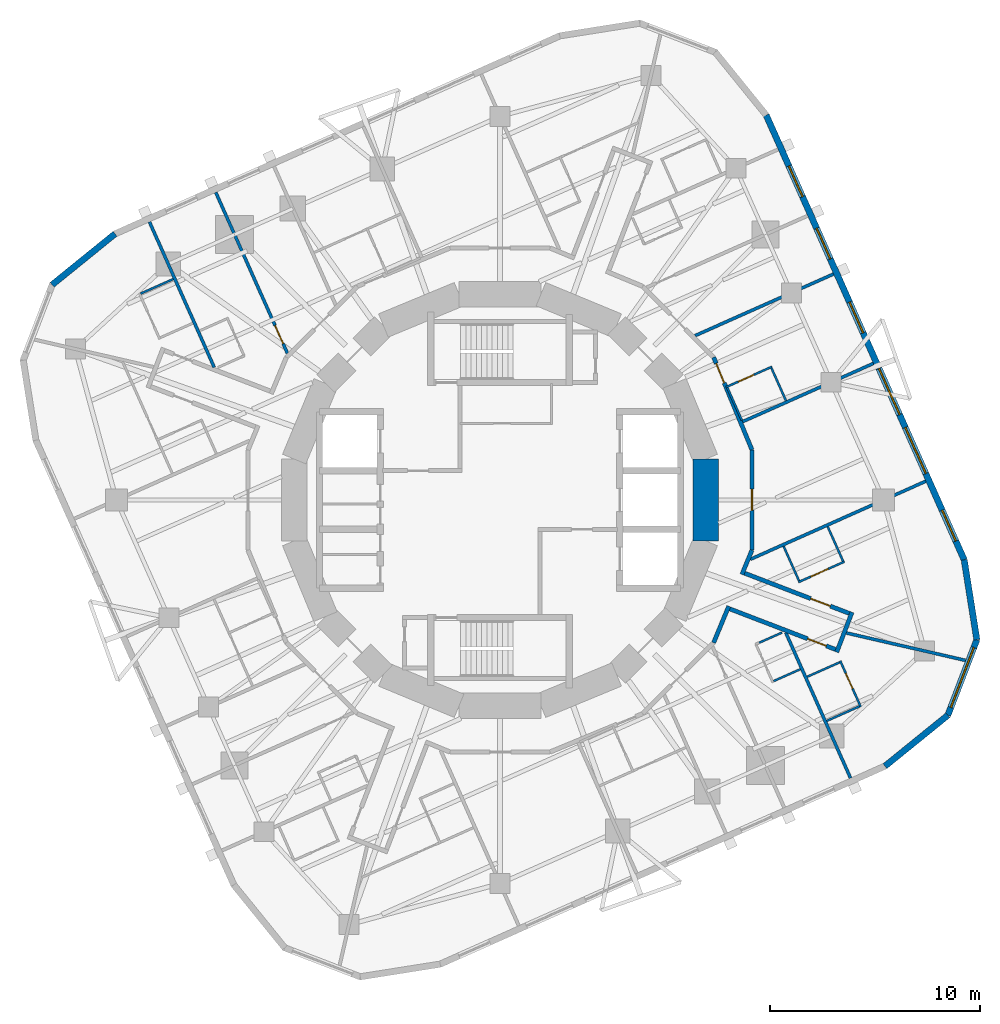
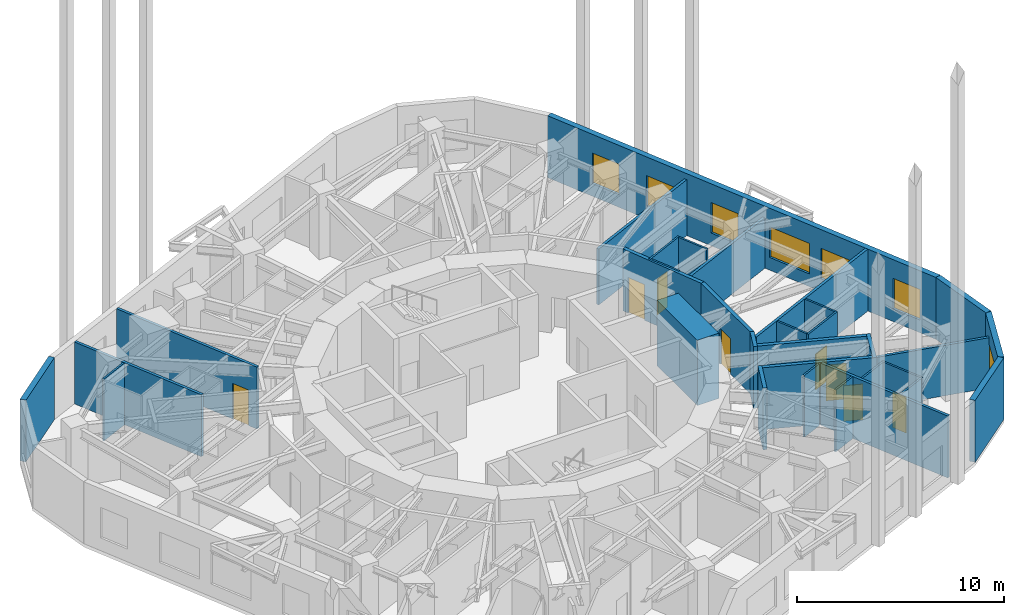
# One storey, part 8 of 11: 32 walls, 8 doors, 7 windows, 15 openings.
"""IFC4 building model written with IfcOpenShell, lengths in metres."""

from ifc_helpers import new_model, si_unit, direction, frame, frame_2d, origin, place, context, subcontext, project, spatial, rectangle, extrude, material, layer, layer_set, type_object, element, fill, save


model = new_model("IFC4")

# Units and contexts
model_context = context("Model", 3, precision=1e-05, world=origin(), true_north=direction((0.0, 1.0)))
body_context = subcontext(model_context, "Body", "Model", "MODEL_VIEW")
ifc_project = project(units=[si_unit("LENGTHUNIT", "METRE"), si_unit("AREAUNIT", "SQUARE_METRE"), si_unit("VOLUMEUNIT", "CUBIC_METRE"), si_unit("PLANEANGLEUNIT", "RADIAN"), si_unit("MASSUNIT", "GRAM", prefix="KILO")], contexts=[model_context])

# Site, building, storey
site_placement = place(None, origin())
site = spatial("IfcSite", under=ifc_project, at=site_placement, CompositionType="ELEMENT")
building_placement = place(site_placement, origin())
building = spatial("IfcBuilding", under=site, at=building_placement, Name="Nakasero Lantern House", CompositionType="ELEMENT")
storey_placement = place(building_placement, frame((0.0, 0.0, 182.449951171875)))
storey = spatial("IfcBuildingStorey", under=building, at=storey_placement, Name="L44", CompositionType="ELEMENT", Elevation=182.449951171875)

# Wall
ifc_material_1 = material(Name="Concrete C50/60", Category="concrete")
ifc_layer_1 = layer(ifc_material_1, 1.199951171875)
ifc_layer_set_1 = layer_set([ifc_layer_1], Name="Core wall 1200")
wall_type_1 = type_object("IfcWallType", Name="Core wall 1200", PredefinedType="SHEAR", material=ifc_layer_set_1)
wall_1_placement = place(storey_placement, frame((9.807861328125, -1.950927734375, 0.0), z_axis=(0.0, 0.0, 1.0), x_axis=(0.0, 1.0, 0.0)))
element("IfcWall", 1, at=wall_1_placement, inside=storey, type_object=wall_type_1, Name="Core wall L44 facet 16", PredefinedType="SHEAR", context=body_context, shape_type="SweptSolid", body=[
    extrude(rectangle(XDim=3.90185546875, YDim=1.199951171875, at=frame_2d((1.950927734375, 0.0))), origin(), (0.0, 0.0, 1.0), 3.85009765625),
])

# Wall, opening, door
ifc_material_2 = material(Name="Blockwork", Category="masonry")
ifc_layer_2 = layer(ifc_material_2, 0.199951171875)
ifc_layer_set_2 = layer_set([ifc_layer_2], Name="Corridor wall 200")
wall_type_2 = type_object("IfcWallType", Name="Corridor wall 200", PredefinedType="PARTITIONING", material=ifc_layer_set_2)
wall_2_placement = place(storey_placement, frame((12.0078125, 2.388427734375, 0.0), z_axis=(0.0, 0.0, 1.0), x_axis=(0.0, -1.0, 0.0)))
wall_2 = element("IfcWall", 2, at=wall_2_placement, inside=storey, type_object=wall_type_2, Name="Corridor wall L44 RC00a", PredefinedType="PARTITIONING", context=body_context, shape_type="SweptSolid", body=[
    extrude(rectangle(XDim=4.77685546875, YDim=0.199951171875, at=frame_2d((2.388427734375, 0.0))), origin(), (0.0, 0.0, 1.0), 3.650146484375),
])
opening_1_placement = place(wall_2_placement, frame((1.8701171875, 0.0, 0.0)))
opening_1 = element("IfcOpeningElement", 3, at=opening_1_placement, cuts=wall_2, Name="Opening D03", PredefinedType="OPENING", context=body_context, shape_type="SweptSolid", body=[
    extrude(rectangle(XDim=1.0, YDim=2.10009765625, at=frame_2d((0.5, 1.050048828125))), frame((0.0, 0.119873046875, 0.0), z_axis=(0.0, -1.0, 0.0), x_axis=(1.0, 0.0, 0.0)), (0.0, 0.0, 1.0), 0.239990234375),
])
ifc_material_3 = material(Name="Timber C24", Category="wood")
door_type_1 = type_object("IfcDoorType", Name="Lounge door FD30S 1000", OperationType="SINGLE_SWING_LEFT", PredefinedType="DOOR", material=ifc_material_3)
door_1_placement = place(opening_1_placement, origin())
door_1 = element("IfcDoor", 4, at=door_1_placement, inside=storey, type_object=door_type_1, Name="Door L44 DK0", OperationType="SINGLE_SWING_LEFT", OverallHeight=2.10009765625, OverallWidth=1.0, PredefinedType="DOOR", context=body_context, shape_type="SweptSolid", body=[
    extrude(rectangle(XDim=1.0, YDim=2.10009765625, at=frame_2d((0.5, 1.050048828125))), frame((0.0, 0.02490234375, 0.0), z_axis=(0.0, -1.0, 0.0), x_axis=(1.0, 0.0, 0.0)), (0.0, 0.0, 1.0), 0.050048828125),
])
fill(opening_1, door_1)

# Walls
wall_3_placement = place(storey_placement, frame((12.0078125, -2.388427734375, 0.0), z_axis=(0.0, 0.0, 1.0), x_axis=(-0.382609746966, -0.923910050561, 0.0)))
element("IfcWall", 5, at=wall_3_placement, inside=storey, type_object=wall_type_2, Name="Corridor wall L44 RC01a", PredefinedType="PARTITIONING", context=body_context, shape_type="SweptSolid", body=[
    extrude(rectangle(XDim=1.25390625, YDim=0.199951171875, at=frame_2d((0.626953125, 0.0))), origin(), (0.0, 0.0, 1.0), 3.650146484375),
])
wall_4_placement = place(storey_placement, frame((10.900146484375, -5.0625, 0.0), z_axis=(0.0, 0.0, 1.0), x_axis=(-0.38265336809, -0.923891984969, 0.0)))
element("IfcWall", 6, at=wall_4_placement, inside=storey, type_object=wall_type_2, Name="Corridor wall L44 RC01b", PredefinedType="PARTITIONING", context=body_context, shape_type="SweptSolid", body=[
    extrude(rectangle(XDim=1.8828125, YDim=0.199951171875, at=frame_2d((0.94140625, 0.0))), origin(), (0.0, 0.0, 1.0), 3.650146484375),
])

# Wall, opening, door
wall_5_placement = place(storey_placement, frame((10.1796875, 6.802001953125, 0.0), z_axis=(0.0, 0.0, 1.0), x_axis=(0.382676767893, -0.923882292998, 0.0)))
wall_5 = element("IfcWall", 7, at=wall_5_placement, inside=storey, type_object=wall_type_2, Name="Corridor wall L44 RC15a", PredefinedType="PARTITIONING", context=body_context, shape_type="SweptSolid", body=[
    extrude(rectangle(XDim=4.777099609375, YDim=0.199951171875, at=frame_2d((2.388671875, 0.0))), origin(), (0.0, 0.0, 1.0), 3.650146484375),
])
opening_2_placement = place(wall_5_placement, frame((0.320068359375, 0.0, 0.0)))
opening_2 = element("IfcOpeningElement", 8, at=opening_2_placement, cuts=wall_5, Name="Opening D07", PredefinedType="OPENING", context=body_context, shape_type="SweptSolid", body=[
    extrude(rectangle(XDim=1.0, YDim=2.10009765625, at=frame_2d((0.5, 1.050048828125))), frame((0.0, 0.119873046875, 0.0), z_axis=(0.0, -1.0, 0.0), x_axis=(1.0, 0.0, 0.0)), (0.0, 0.0, 1.0), 0.239990234375),
])
ifc_material_4 = material(Name="Timber C24", Category="wood")
door_type_2 = type_object("IfcDoorType", Name="Room door FD30S 1000", OperationType="SINGLE_SWING_LEFT", PredefinedType="DOOR", material=ifc_material_4)
door_2_placement = place(opening_2_placement, origin())
door_2 = element("IfcDoor", 9, at=door_2_placement, inside=storey, type_object=door_type_2, Name="Door L44 D0-03", OperationType="SINGLE_SWING_LEFT", OverallHeight=2.10009765625, OverallWidth=1.0, PredefinedType="DOOR", context=body_context, shape_type="SweptSolid", body=[
    extrude(rectangle(XDim=1.0, YDim=2.10009765625, at=frame_2d((0.5, 1.050048828125))), frame((0.0, 0.02490234375, 0.0), z_axis=(0.0, -1.0, 0.0), x_axis=(1.0, 0.0, 0.0)), (0.0, 0.0, 1.0), 0.050048828125),
])
fill(opening_2, door_2)

wall_6_placement = place(storey_placement, frame((10.862060546875, -5.155029296875, 0.0), z_axis=(0.0, 0.0, 1.0), x_axis=(0.933576547613, -0.35837805422, 0.0)))
wall_6 = element("IfcWall", 10, at=wall_6_placement, inside=storey, type_object=wall_type_2, Name="Corridor wall L44 SP3a", PredefinedType="PARTITIONING", context=body_context, shape_type="SweptSolid", body=[
    extrude(rectangle(XDim=5.689697265625, YDim=0.199951171875, at=frame_2d((2.8447265625, 0.0))), origin(), (0.0, 0.0, 1.0), 3.650146484375),
])
opening_3_placement = place(wall_6_placement, frame((4.070068359375, 0.0, 0.0)))
opening_3 = element("IfcOpeningElement", 11, at=opening_3_placement, cuts=wall_6, Name="Opening D01", PredefinedType="OPENING", context=body_context, shape_type="SweptSolid", body=[
    extrude(rectangle(XDim=0.949951171875, YDim=2.10009765625, at=frame_2d((0.47509765625, 1.050048828125))), frame((0.0, 0.119873046875, 0.0), z_axis=(0.0, -1.0, 0.0), x_axis=(1.0, 0.0, 0.0)), (0.0, 0.0, 1.0), 0.239990234375),
])
ifc_material_5 = material(Name="Timber C24", Category="wood")
door_type_3 = type_object("IfcDoorType", Name="Bedroom door FD30S 950", OperationType="SINGLE_SWING_LEFT", PredefinedType="DOOR", material=ifc_material_5)
door_3_placement = place(opening_3_placement, origin())
door_3 = element("IfcDoor", 12, at=door_3_placement, inside=storey, type_object=door_type_3, Name="Door L44 D3-06", OperationType="SINGLE_SWING_RIGHT", OverallHeight=2.10009765625, OverallWidth=0.949951171875, PredefinedType="DOOR", context=body_context, shape_type="SweptSolid", body=[
    extrude(rectangle(XDim=0.949951171875, YDim=2.10009765625, at=frame_2d((0.47509765625, 1.050048828125))), frame((0.0, 0.02490234375, 0.0), z_axis=(0.0, -1.0, 0.0), x_axis=(1.0, 0.0, 0.0)), (0.0, 0.0, 1.0), 0.050048828125),
])
fill(opening_3, door_3)

wall_7_placement = place(storey_placement, frame((11.56640625, -3.454345703125, 0.0), z_axis=(0.0, 0.0, 1.0), x_axis=(0.933567378484, -0.358401938933, 0.0)))
wall_7 = element("IfcWall", 13, at=wall_7_placement, inside=storey, type_object=wall_type_2, Name="Corridor wall L44 SP3b", PredefinedType="PARTITIONING", context=body_context, shape_type="SweptSolid", body=[
    extrude(rectangle(XDim=5.6416015625, YDim=0.199951171875, at=frame_2d((2.82080078125, 0.0))), origin(), (0.0, 0.0, 1.0), 3.650146484375),
])
opening_4_placement = place(wall_7_placement, frame((3.469970703125, 0.0, 0.0)))
opening_4 = element("IfcOpeningElement", 14, at=opening_4_placement, cuts=wall_7, Name="Opening D07", PredefinedType="OPENING", context=body_context, shape_type="SweptSolid", body=[
    extrude(rectangle(XDim=1.0, YDim=2.10009765625, at=frame_2d((0.5, 1.050048828125))), frame((0.0, 0.119873046875, 0.0), z_axis=(0.0, -1.0, 0.0), x_axis=(1.0, 0.0, 0.0)), (0.0, 0.0, 1.0), 0.239990234375),
])
door_4_placement = place(opening_4_placement, origin())
door_4 = element("IfcDoor", 15, at=door_4_placement, inside=storey, type_object=door_type_2, Name="Door L44 D0-00", OperationType="SINGLE_SWING_RIGHT", OverallHeight=2.10009765625, OverallWidth=1.0, PredefinedType="DOOR", context=body_context, shape_type="SweptSolid", body=[
    extrude(rectangle(XDim=1.0, YDim=2.10009765625, at=frame_2d((0.5, 1.050048828125))), frame((0.0, 0.02490234375, 0.0), z_axis=(0.0, -1.0, 0.0), x_axis=(1.0, 0.0, 0.0)), (0.0, 0.0, 1.0), 0.050048828125),
])
fill(opening_4, door_4)

# Wall
wall_8_placement = place(storey_placement, frame((16.044677734375, -7.25146484375, 0.0), z_axis=(0.0, 0.0, 1.0), x_axis=(0.358457713283, 0.933545964475, 0.0)))
element("IfcWall", 16, at=wall_8_placement, inside=storey, type_object=wall_type_2, Name="Corridor wall L44 SP3e", PredefinedType="PARTITIONING", context=body_context, shape_type="SweptSolid", body=[
    extrude(rectangle(XDim=2.039794921875, YDim=0.199951171875, at=frame_2d((1.02001953125, 0.0))), origin(), (0.0, 0.0, 1.0), 3.650146484375),
])

# Wall, opening, door
ifc_material_6 = material(Name="Blockwork", Category="masonry")
ifc_layer_3 = layer(ifc_material_6, 0.10009765625)
ifc_layer_set_3 = layer_set([ifc_layer_3], Name="En-suite wall 100")
wall_type_3 = type_object("IfcWallType", Name="En-suite wall 100", PredefinedType="PARTITIONING", material=ifc_layer_set_3)
wall_9_placement = place(storey_placement, frame((14.2216796875, -3.914306640625, 0.0), z_axis=(0.0, 0.0, 1.0), x_axis=(0.913551263516, 0.406723602621, 0.0)))
wall_9 = element("IfcWall", 17, at=wall_9_placement, inside=storey, type_object=wall_type_3, Name="En-suite wall L44 ES0-00", PredefinedType="PARTITIONING", context=body_context, shape_type="SweptSolid", body=[
    extrude(rectangle(XDim=2.39990234375, YDim=0.10009765625, at=frame_2d((1.199951171875, 0.0))), origin(), (0.0, 0.0, 1.0), 3.650146484375),
])
opening_5_placement = place(wall_9_placement, frame((0.64990234375, 0.0, 0.0)))
opening_5 = element("IfcOpeningElement", 18, at=opening_5_placement, cuts=wall_9, Name="Opening D16", PredefinedType="OPENING", context=body_context, shape_type="SweptSolid", body=[
    extrude(rectangle(XDim=0.89990234375, YDim=2.10009765625, at=frame_2d((0.449951171875, 1.050048828125))), frame((0.0, 0.070068359375, 0.0), z_axis=(0.0, -1.0, 0.0), x_axis=(1.0, 0.0, 0.0)), (0.0, 0.0, 1.0), 0.14013671875),
])
ifc_material_7 = material(Name="Timber C24", Category="wood")
door_type_4 = type_object("IfcDoorType", Name="Accessible WC door 900", OperationType="SINGLE_SWING_RIGHT", PredefinedType="DOOR", material=ifc_material_7)
door_5_placement = place(opening_5_placement, origin())
door_5 = element("IfcDoor", 19, at=door_5_placement, inside=storey, type_object=door_type_4, Name="Door L44 DE0-00", OperationType="SINGLE_SWING_LEFT", OverallHeight=2.10009765625, OverallWidth=0.89990234375, PredefinedType="DOOR", context=body_context, shape_type="SweptSolid", body=[
    extrude(rectangle(XDim=0.89990234375, YDim=2.10009765625, at=frame_2d((0.449951171875, 1.050048828125))), frame((0.0, 0.02490234375, 0.0), z_axis=(0.0, -1.0, 0.0), x_axis=(1.0, 0.0, 0.0)), (0.0, 0.0, 1.0), 0.050048828125),
])
fill(opening_5, door_5)

# Walls
wall_10_placement = place(storey_placement, frame((16.34814453125, -2.912841796875, 0.0), z_axis=(0.0, 0.0, 1.0), x_axis=(-0.406729803932, 0.913548502595, 0.0)))
element("IfcWall", 20, at=wall_10_placement, inside=storey, type_object=wall_type_3, Name="En-suite wall L44 EE0-00", PredefinedType="PARTITIONING", context=body_context, shape_type="SweptSolid", body=[
    extrude(rectangle(XDim=1.800048828125, YDim=0.10009765625, at=frame_2d((0.89990234375, 0.0))), origin(), (0.0, 0.0, 1.0), 3.650146484375),
])
wall_11_placement = place(storey_placement, frame((14.246826171875, -3.84814453125, 0.0), z_axis=(0.0, 0.0, 1.0), x_axis=(-0.406666998358, 0.913576462288, 0.0)))
element("IfcWall", 21, at=wall_11_placement, inside=storey, type_object=wall_type_3, Name="En-suite wall L44 EI0-00", PredefinedType="PARTITIONING", context=body_context, shape_type="SweptSolid", body=[
    extrude(rectangle(XDim=1.7998046875, YDim=0.10009765625, at=frame_2d((0.89990234375, 0.0))), origin(), (0.0, 0.0, 1.0), 3.650146484375),
])

# Wall, opening, door
wall_12_placement = place(storey_placement, frame((10.7685546875, 5.376953125, 0.0), z_axis=(0.0, 0.0, 1.0), x_axis=(0.913568090055, 0.406685806039, 0.0)))
wall_12 = element("IfcWall", 22, at=wall_12_placement, inside=storey, type_object=wall_type_3, Name="En-suite wall L44 ES0-03", PredefinedType="PARTITIONING", context=body_context, shape_type="SweptSolid", body=[
    extrude(rectangle(XDim=2.400146484375, YDim=0.10009765625, at=frame_2d((1.2001953125, 0.0))), origin(), (0.0, 0.0, 1.0), 3.650146484375),
])
opening_6_placement = place(wall_12_placement, frame((0.64990234375, 0.0, 0.0)))
opening_6 = element("IfcOpeningElement", 23, at=opening_6_placement, cuts=wall_12, Name="Opening D15", PredefinedType="OPENING", context=body_context, shape_type="SweptSolid", body=[
    extrude(rectangle(XDim=0.800048828125, YDim=2.10009765625, at=frame_2d((0.39990234375, 1.050048828125))), frame((0.0, 0.070068359375, 0.0), z_axis=(0.0, -1.0, 0.0), x_axis=(1.0, 0.0, 0.0)), (0.0, 0.0, 1.0), 0.14013671875),
])
ifc_material_8 = material(Name="Timber C24", Category="wood")
door_type_5 = type_object("IfcDoorType", Name="Cleaner's store door FD30S 800", OperationType="SINGLE_SWING_LEFT", PredefinedType="DOOR", material=ifc_material_8)
door_6_placement = place(opening_6_placement, origin())
door_6 = element("IfcDoor", 24, at=door_6_placement, inside=storey, type_object=door_type_5, Name="Door L44 DE0-03", OperationType="SINGLE_SWING_LEFT", OverallHeight=2.10009765625, OverallWidth=0.800048828125, PredefinedType="DOOR", context=body_context, shape_type="SweptSolid", body=[
    extrude(rectangle(XDim=0.800048828125, YDim=2.10009765625, at=frame_2d((0.39990234375, 1.050048828125))), frame((0.0, 0.02490234375, 0.0), z_axis=(0.0, -1.0, 0.0), x_axis=(1.0, 0.0, 0.0)), (0.0, 0.0, 1.0), 0.050048828125),
])
fill(opening_6, door_6)

# Walls
for number, where, z_axis, x_axis, name in (
    (25, (13.627197265625, 4.734130859375, 0.0), (0.0, 0.0, 1.0), (-0.406724697108, 0.913550776237, 0.0), "En-suite wall L44 EE0-03"),
    (26, (11.526123046875, 3.798583984375, 0.0), (0.0, 0.0, 1.0), (-0.406724697108, 0.913550776237, 0.0), "En-suite wall L44 EI0-03"),
    (27, (-15.572265625, 10.526123046875, 0.0), (0.0, 0.0, 1.0), (-0.913550776237, -0.406724697108, 0.0), "En-suite wall L44 EE1-06"),
):
    element("IfcWall", number, at=place(storey_placement, frame(where, z_axis=z_axis, x_axis=x_axis)), inside=storey, type_object=wall_type_3, Name=name, PredefinedType="PARTITIONING", context=body_context, shape_type="SweptSolid", body=[
        extrude(rectangle(XDim=1.699951171875, YDim=0.10009765625, at=frame_2d((0.85009765625, 0.0))), origin(), (0.0, 0.0, 1.0), 3.650146484375),
    ])
wall_13_placement = place(storey_placement, frame((13.032470703125, -8.632568359375, 0.0), z_axis=(0.0, 0.0, 1.0), x_axis=(0.91358129113, 0.406656150203, 0.0)))
element("IfcWall", 28, at=wall_13_placement, inside=storey, type_object=wall_type_3, Name="En-suite wall L44 EE3-05", PredefinedType="PARTITIONING", context=body_context, shape_type="SweptSolid", body=[
    extrude(rectangle(XDim=1.400146484375, YDim=0.10009765625, at=frame_2d((0.7001953125, 0.0))), origin(), (0.0, 0.0, 1.0), 3.650146484375),
])

# Wall, opening, door
wall_14_placement = place(storey_placement, frame((16.215087890625, -7.66748046875, 0.0), z_axis=(0.0, 0.0, 1.0), x_axis=(0.40677069889, -0.913530294257, 0.0)))
wall_14 = element("IfcWall", 29, at=wall_14_placement, inside=storey, type_object=wall_type_3, Name="En-suite wall L44 ES3-06", PredefinedType="PARTITIONING", context=body_context, shape_type="SweptSolid", body=[
    extrude(rectangle(XDim=2.400146484375, YDim=0.10009765625, at=frame_2d((1.2001953125, 0.0))), origin(), (0.0, 0.0, 1.0), 3.650146484375),
])
opening_7_placement = place(wall_14_placement, frame((0.64990234375, 0.0, 0.0)))
opening_7 = element("IfcOpeningElement", 30, at=opening_7_placement, cuts=wall_14, Name="Opening D02", PredefinedType="OPENING", context=body_context, shape_type="SweptSolid", body=[
    extrude(rectangle(XDim=0.800048828125, YDim=2.10009765625, at=frame_2d((0.39990234375, 1.050048828125))), frame((0.0, 0.070068359375, 0.0), z_axis=(0.0, -1.0, 0.0), x_axis=(1.0, 0.0, 0.0)), (0.0, 0.0, 1.0), 0.14013671875),
])
ifc_material_9 = material(Name="Timber C24", Category="wood")
door_type_6 = type_object("IfcDoorType", Name="En-suite door 800", OperationType="SINGLE_SWING_RIGHT", PredefinedType="DOOR", material=ifc_material_9)
door_7_placement = place(opening_7_placement, origin())
door_7 = element("IfcDoor", 31, at=door_7_placement, inside=storey, type_object=door_type_6, Name="Door L44 DE3-06", OperationType="SINGLE_SWING_LEFT", OverallHeight=2.10009765625, OverallWidth=0.800048828125, PredefinedType="DOOR", context=body_context, shape_type="SweptSolid", body=[
    extrude(rectangle(XDim=0.800048828125, YDim=2.10009765625, at=frame_2d((0.39990234375, 1.050048828125))), frame((0.0, 0.02490234375, 0.0), z_axis=(0.0, -1.0, 0.0), x_axis=(1.0, 0.0, 0.0)), (0.0, 0.0, 1.0), 0.050048828125),
])
fill(opening_7, door_7)

# Walls
wall_15_placement = place(storey_placement, frame((15.572265625, -10.526123046875, 0.0), z_axis=(0.0, 0.0, 1.0), x_axis=(0.913550776237, 0.406724697108, 0.0)))
element("IfcWall", 32, at=wall_15_placement, inside=storey, type_object=wall_type_3, Name="En-suite wall L44 EE3-06", PredefinedType="PARTITIONING", context=body_context, shape_type="SweptSolid", body=[
    extrude(rectangle(XDim=1.699951171875, YDim=0.10009765625, at=frame_2d((0.85009765625, 0.0))), origin(), (0.0, 0.0, 1.0), 3.650146484375),
])
wall_16_placement = place(storey_placement, frame((14.63671875, -8.425048828125, 0.0), z_axis=(0.0, 0.0, 1.0), x_axis=(0.91357452948, 0.406671340378, 0.0)))
element("IfcWall", 33, at=wall_16_placement, inside=storey, type_object=wall_type_3, Name="En-suite wall L44 EI3-06", PredefinedType="PARTITIONING", context=body_context, shape_type="SweptSolid", body=[
    extrude(rectangle(XDim=1.7001953125, YDim=0.10009765625, at=frame_2d((0.85009765625, 0.0))), origin(), (0.0, 0.0, 1.0), 3.650146484375),
])
wall_17_placement = place(storey_placement, frame((13.44091796875, -6.31640625, 0.0), z_axis=(0.0, 0.0, 1.0), x_axis=(-0.9136193121, -0.406570722702, 0.0)))
element("IfcWall", 34, at=wall_17_placement, inside=storey, type_object=wall_type_3, Name="En-suite wall L44 EX003", PredefinedType="PARTITIONING", context=body_context, shape_type="SweptSolid", body=[
    extrude(rectangle(XDim=1.205078125, YDim=0.10009765625, at=frame_2d((0.6025390625, 0.0))), origin(), (0.0, 0.0, 1.0), 3.650146484375),
])

# Wall, openings, windows
ifc_material_10 = material(Name="Aluminium rainscreen on blockwork", Category="masonry")
ifc_layer_4 = layer(ifc_material_10, 0.300048828125)
ifc_layer_set_4 = layer_set([ifc_layer_4], Name="Facade wall 300")
wall_type_4 = type_object("IfcWallType", Name="Facade wall 300", PredefinedType="SOLIDWALL", material=ifc_layer_set_4)
wall_18_placement = place(storey_placement, frame((22.12109375, -2.848876953125, 0.0), z_axis=(0.0, 0.0, 1.0), x_axis=(-0.406734951338, 0.913546210851, 0.0)))
wall_18 = element("IfcWall", 35, at=wall_18_placement, inside=storey, type_object=wall_type_4, Name="Facade wall L44 FW0S", PredefinedType="SOLIDWALL", context=body_context, shape_type="SweptSolid", body=[
    extrude(rectangle(XDim=23.199951171875, YDim=0.300048828125, at=frame_2d((11.60009765625, 0.0))), origin(), (0.0, 0.0, 1.0), 3.650146484375),
])
opening_8_placement = place(wall_18_placement, frame((0.982421875, 0.0, 0.75)))
opening_8 = element("IfcOpeningElement", 36, at=opening_8_placement, cuts=wall_18, Name="Opening W01", PredefinedType="OPENING", context=body_context, shape_type="SweptSolid", body=[
    extrude(rectangle(XDim=1.60009765625, YDim=1.800048828125, at=frame_2d((0.800048828125, 0.89990234375))), frame((0.0, 0.169921875, 0.0), z_axis=(0.0, -1.0, 0.0), x_axis=(1.0, 0.0, 0.0)), (0.0, 0.0, 1.0), 0.340087890625),
])
opening_9_placement = place(wall_18_placement, frame((11.83984375, 0.0, 0.75)))
opening_9 = element("IfcOpeningElement", 37, at=opening_9_placement, cuts=wall_18, Name="Opening W01", PredefinedType="OPENING", context=body_context, shape_type="SweptSolid", body=[
    extrude(rectangle(XDim=1.60009765625, YDim=1.800048828125, at=frame_2d((0.800048828125, 0.89990234375))), frame((0.0, 0.169921875, 0.0), z_axis=(0.0, -1.0, 0.0), x_axis=(1.0, 0.0, 0.0)), (0.0, 0.0, 1.0), 0.340087890625),
])
opening_10_placement = place(wall_18_placement, frame((15.69140625, 0.0, 0.75)))
opening_10 = element("IfcOpeningElement", 38, at=opening_10_placement, cuts=wall_18, Name="Opening W01", PredefinedType="OPENING", context=body_context, shape_type="SweptSolid", body=[
    extrude(rectangle(XDim=1.60009765625, YDim=1.800048828125, at=frame_2d((0.800048828125, 0.89990234375))), frame((0.0, 0.169921875, 0.0), z_axis=(0.0, -1.0, 0.0), x_axis=(1.0, 0.0, 0.0)), (0.0, 0.0, 1.0), 0.340087890625),
])
opening_11_placement = place(wall_18_placement, frame((18.940185546875, 0.0, 0.75)))
opening_11 = element("IfcOpeningElement", 39, at=opening_11_placement, cuts=wall_18, Name="Opening W01", PredefinedType="OPENING", context=body_context, shape_type="SweptSolid", body=[
    extrude(rectangle(XDim=1.60009765625, YDim=1.800048828125, at=frame_2d((0.800048828125, 0.89990234375))), frame((0.0, 0.169921875, 0.0), z_axis=(0.0, -1.0, 0.0), x_axis=(1.0, 0.0, 0.0)), (0.0, 0.0, 1.0), 0.340087890625),
])
opening_12_placement = place(wall_18_placement, frame((4.500244140625, 0.0, 0.75)))
opening_12 = element("IfcOpeningElement", 40, at=opening_12_placement, cuts=wall_18, Name="Opening W03", PredefinedType="OPENING", context=body_context, shape_type="SweptSolid", body=[
    extrude(rectangle(XDim=2.39990234375, YDim=1.800048828125, at=frame_2d((1.199951171875, 0.89990234375))), frame((0.0, 0.169921875, 0.0), z_axis=(0.0, -1.0, 0.0), x_axis=(1.0, 0.0, 0.0)), (0.0, 0.0, 1.0), 0.340087890625),
])
opening_13_placement = place(wall_18_placement, frame((7.571533203125, 0.0, 0.75)))
opening_13 = element("IfcOpeningElement", 41, at=opening_13_placement, cuts=wall_18, Name="Opening W03", PredefinedType="OPENING", context=body_context, shape_type="SweptSolid", body=[
    extrude(rectangle(XDim=2.39990234375, YDim=1.800048828125, at=frame_2d((1.199951171875, 0.89990234375))), frame((0.0, 0.169921875, 0.0), z_axis=(0.0, -1.0, 0.0), x_axis=(1.0, 0.0, 0.0)), (0.0, 0.0, 1.0), 0.340087890625),
])
ifc_material_11 = material(Name="Aluminium 6063-T6 and glass", Category="aluminium")
window_type_1 = type_object("IfcWindowType", Name="Bedroom window 1600x1800", PartitioningType="SINGLE_PANEL", PredefinedType="WINDOW", material=ifc_material_11)
window_1_placement = place(opening_8_placement, origin())
window_1 = element("IfcWindow", 42, at=window_1_placement, inside=storey, type_object=window_type_1, Name="Window L44 WN0-00", OverallHeight=1.800048828125, OverallWidth=1.60009765625, PartitioningType="SINGLE_PANEL", PredefinedType="WINDOW", context=body_context, shape_type="SweptSolid", body=[
    extrude(rectangle(XDim=1.60009765625, YDim=1.800048828125, at=frame_2d((0.800048828125, 0.89990234375))), frame((0.0, 0.030029296875, 0.0), z_axis=(0.0, -1.0, 0.0), x_axis=(1.0, 0.0, 0.0)), (0.0, 0.0, 1.0), 0.06005859375),
])
fill(opening_8, window_1)
window_2_placement = place(opening_9_placement, origin())
window_2 = element("IfcWindow", 43, at=window_2_placement, inside=storey, type_object=window_type_1, Name="Window L44 WN0-03", OverallHeight=1.800048828125, OverallWidth=1.60009765625, PartitioningType="SINGLE_PANEL", PredefinedType="WINDOW", context=body_context, shape_type="SweptSolid", body=[
    extrude(rectangle(XDim=1.60009765625, YDim=1.800048828125, at=frame_2d((0.800048828125, 0.89990234375))), frame((0.0, 0.030029296875, 0.0), z_axis=(0.0, -1.0, 0.0), x_axis=(1.0, 0.0, 0.0)), (0.0, 0.0, 1.0), 0.06005859375),
])
fill(opening_9, window_2)
window_3_placement = place(opening_10_placement, origin())
window_3 = element("IfcWindow", 44, at=window_3_placement, inside=storey, type_object=window_type_1, Name="Window L44 WN0-04", OverallHeight=1.800048828125, OverallWidth=1.60009765625, PartitioningType="SINGLE_PANEL", PredefinedType="WINDOW", context=body_context, shape_type="SweptSolid", body=[
    extrude(rectangle(XDim=1.60009765625, YDim=1.800048828125, at=frame_2d((0.800048828125, 0.89990234375))), frame((0.0, 0.030029296875, 0.0), z_axis=(0.0, -1.0, 0.0), x_axis=(1.0, 0.0, 0.0)), (0.0, 0.0, 1.0), 0.06005859375),
])
fill(opening_10, window_3)
window_4_placement = place(opening_11_placement, origin())
window_4 = element("IfcWindow", 45, at=window_4_placement, inside=storey, type_object=window_type_1, Name="Window L44 WN0-05", OverallHeight=1.800048828125, OverallWidth=1.60009765625, PartitioningType="SINGLE_PANEL", PredefinedType="WINDOW", context=body_context, shape_type="SweptSolid", body=[
    extrude(rectangle(XDim=1.60009765625, YDim=1.800048828125, at=frame_2d((0.800048828125, 0.89990234375))), frame((0.0, 0.030029296875, 0.0), z_axis=(0.0, -1.0, 0.0), x_axis=(1.0, 0.0, 0.0)), (0.0, 0.0, 1.0), 0.06005859375),
])
fill(opening_11, window_4)
ifc_material_12 = material(Name="Aluminium 6063-T6 and glass", Category="aluminium")
window_type_2 = type_object("IfcWindowType", Name="Lounge window 2400x1800", PartitioningType="SINGLE_PANEL", PredefinedType="WINDOW", material=ifc_material_12)
window_5_placement = place(opening_12_placement, origin())
window_5 = element("IfcWindow", 46, at=window_5_placement, inside=storey, type_object=window_type_2, Name="Window L44 WK0", OverallHeight=1.800048828125, OverallWidth=2.39990234375, PartitioningType="SINGLE_PANEL", PredefinedType="WINDOW", context=body_context, shape_type="SweptSolid", body=[
    extrude(rectangle(XDim=2.39990234375, YDim=1.800048828125, at=frame_2d((1.199951171875, 0.89990234375))), frame((0.0, 0.030029296875, 0.0), z_axis=(0.0, -1.0, 0.0), x_axis=(1.0, 0.0, 0.0)), (0.0, 0.0, 1.0), 0.06005859375),
])
fill(opening_12, window_5)
window_6_placement = place(opening_13_placement, origin())
window_6 = element("IfcWindow", 47, at=window_6_placement, inside=storey, type_object=window_type_2, Name="Window L44 WL0", OverallHeight=1.800048828125, OverallWidth=2.39990234375, PartitioningType="SINGLE_PANEL", PredefinedType="WINDOW", context=body_context, shape_type="SweptSolid", body=[
    extrude(rectangle(XDim=2.39990234375, YDim=1.800048828125, at=frame_2d((1.199951171875, 0.89990234375))), frame((0.0, 0.030029296875, 0.0), z_axis=(0.0, -1.0, 0.0), x_axis=(1.0, 0.0, 0.0)), (0.0, 0.0, 1.0), 0.06005859375),
])
fill(opening_13, window_6)

# Walls
for number, where, z_axis, x_axis, name in (
    (48, (-18.345458984375, 12.684814453125, 0.0), (0.0, 0.0, 1.0), (-0.777174099125, -0.629285642335, 0.0), "Facade wall L44 FW1C1"),
    (49, (18.345458984375, -12.684814453125, 0.0), (0.0, 0.0, 1.0), (0.777174099125, 0.629285642335, 0.0), "Facade wall L44 FW3C1"),
):
    element("IfcWall", number, at=place(storey_placement, frame(where, z_axis=z_axis, x_axis=x_axis)), inside=storey, type_object=wall_type_4, Name=name, PredefinedType="SOLIDWALL", context=body_context, shape_type="SweptSolid", body=[
        extrude(rectangle(XDim=3.8564453125, YDim=0.300048828125, at=frame_2d((1.92822265625, 0.0))), origin(), (0.0, 0.0, 1.0), 3.650146484375),
    ])

# Wall, opening, window
wall_19_placement = place(storey_placement, frame((21.342529296875, -10.258056640625, 0.0), z_axis=(0.0, 0.0, 1.0), x_axis=(0.358321438858, 0.933598278948, 0.0)))
wall_19 = element("IfcWall", 50, at=wall_19_placement, inside=storey, type_object=wall_type_4, Name="Facade wall L44 FW3C2", PredefinedType="SOLIDWALL", context=body_context, shape_type="SweptSolid", body=[
    extrude(rectangle(XDim=3.8564453125, YDim=0.300048828125, at=frame_2d((1.92822265625, 0.0))), origin(), (0.0, 0.0, 1.0), 3.650146484375),
])
opening_14_placement = place(wall_19_placement, frame((0.39990234375, 0.0, 0.75)))
opening_14 = element("IfcOpeningElement", 51, at=opening_14_placement, cuts=wall_19, Name="Opening W230", PredefinedType="OPENING", context=body_context, shape_type="SweptSolid", body=[
    extrude(rectangle(XDim=3.055908203125, YDim=1.800048828125, at=frame_2d((1.52783203125, 0.89990234375))), frame((0.0, 0.169921875, 0.0), z_axis=(0.0, -1.0, 0.0), x_axis=(1.0, 0.0, 0.0)), (0.0, 0.0, 1.0), 0.340087890625),
])
ifc_material_13 = material(Name="Aluminium 6063-T6 and glass", Category="aluminium")
window_type_3 = type_object("IfcWindowType", Name="Corner window 3056x1800", PartitioningType="SINGLE_PANEL", PredefinedType="WINDOW", material=ifc_material_13)
window_7_placement = place(opening_14_placement, origin())
window_7 = element("IfcWindow", 52, at=window_7_placement, inside=storey, type_object=window_type_3, Name="Window L44 WC3", OverallHeight=1.800048828125, OverallWidth=3.055908203125, PartitioningType="SINGLE_PANEL", PredefinedType="WINDOW", context=body_context, shape_type="SweptSolid", body=[
    extrude(rectangle(XDim=3.055908203125, YDim=1.800048828125, at=frame_2d((1.52783203125, 0.89990234375))), frame((0.0, 0.030029296875, 0.0), z_axis=(0.0, -1.0, 0.0), x_axis=(1.0, 0.0, 0.0)), (0.0, 0.0, 1.0), 0.06005859375),
])
fill(opening_14, window_7)

# Walls
wall_20_placement = place(storey_placement, frame((22.724365234375, -6.65771484375, 0.0), z_axis=(0.0, 0.0, 1.0), x_axis=(-0.156437203878, 0.987687906802, 0.0)))
element("IfcWall", 53, at=wall_20_placement, inside=storey, type_object=wall_type_4, Name="Facade wall L44 FW3C3", PredefinedType="SOLIDWALL", context=body_context, shape_type="SweptSolid", body=[
    extrude(rectangle(XDim=3.856201171875, YDim=0.300048828125, at=frame_2d((1.92822265625, 0.0))), origin(), (0.0, 0.0, 1.0), 3.650146484375),
])
ifc_material_14 = material(Name="Blockwork", Category="masonry")
ifc_layer_5 = layer(ifc_material_14, 0.14990234375)
ifc_layer_set_5 = layer_set([ifc_layer_5], Name="Party wall 150")
wall_type_5 = type_object("IfcWallType", Name="Party wall 150", PredefinedType="PARTITIONING", material=ifc_layer_set_5)
wall_21_placement = place(storey_placement, frame((11.935302734375, -2.824951171875, 0.0), z_axis=(0.0, 0.0, 1.0), x_axis=(0.91355156837, 0.40672291788, 0.0)))
element("IfcWall", 54, at=wall_21_placement, inside=storey, type_object=wall_type_5, Name="Party wall L44 PW0-01", PredefinedType="PARTITIONING", context=body_context, shape_type="SweptSolid", body=[
    extrude(rectangle(XDim=9.1455078125, YDim=0.14990234375, at=frame_2d((4.57275390625, 0.0))), origin(), (0.0, 0.0, 1.0), 3.650146484375),
])
wall_22_placement = place(storey_placement, frame((11.559814453125, 3.7314453125, 0.0), z_axis=(0.0, 0.0, 1.0), x_axis=(0.913544226514, 0.406739408224, 0.0)))
element("IfcWall", 55, at=wall_22_placement, inside=storey, type_object=wall_type_5, Name="Party wall L44 PW0-03", PredefinedType="PARTITIONING", context=body_context, shape_type="SweptSolid", body=[
    extrude(rectangle(XDim=6.82177734375, YDim=0.14990234375, at=frame_2d((3.410888671875, 0.0))), origin(), (0.0, 0.0, 1.0), 2.966552734375),
])
wall_23_placement = place(storey_placement, frame((9.293701171875, 7.829345703125, 0.0), z_axis=(0.0, 0.0, 1.0), x_axis=(0.913535447493, 0.406759125496, 0.0)))
element("IfcWall", 56, at=wall_23_placement, inside=storey, type_object=wall_type_5, Name="Party wall L44 PW0-04", PredefinedType="PARTITIONING", context=body_context, shape_type="SweptSolid", body=[
    extrude(rectangle(XDim=7.225341796875, YDim=0.14990234375, at=frame_2d((3.61279296875, 0.0))), origin(), (0.0, 0.0, 1.0), 3.295166015625),
])

# Wall, opening, door
wall_24_placement = place(storey_placement, frame((-10.130615234375, 6.99267578125, 0.0), z_axis=(0.0, 0.0, 1.0), x_axis=(-0.406732255089, 0.913547411288, 0.0)))
wall_24 = element("IfcWall", 57, at=wall_24_placement, inside=storey, type_object=wall_type_5, Name="Party wall L44 PW1-05", PredefinedType="PARTITIONING", context=body_context, shape_type="SweptSolid", body=[
    extrude(rectangle(XDim=8.3916015625, YDim=0.14990234375, at=frame_2d((4.19580078125, 0.0))), origin(), (0.0, 0.0, 1.0), 3.650146484375),
])
opening_15_placement = place(wall_24_placement, frame((0.5, 0.0, 0.0)))
opening_15 = element("IfcOpeningElement", 58, at=opening_15_placement, cuts=wall_24, Name="Opening D01", PredefinedType="OPENING", context=body_context, shape_type="SweptSolid", body=[
    extrude(rectangle(XDim=0.949951171875, YDim=2.10009765625, at=frame_2d((0.47509765625, 1.050048828125))), frame((0.0, 0.094970703125, 0.0), z_axis=(0.0, -1.0, 0.0), x_axis=(1.0, 0.0, 0.0)), (0.0, 0.0, 1.0), 0.18994140625),
])
door_8_placement = place(opening_15_placement, origin())
door_8 = element("IfcDoor", 59, at=door_8_placement, inside=storey, type_object=door_type_3, Name="Door L44 DS1-05", OperationType="SINGLE_SWING_LEFT", OverallHeight=2.10009765625, OverallWidth=0.949951171875, PredefinedType="DOOR", context=body_context, shape_type="SweptSolid", body=[
    extrude(rectangle(XDim=0.949951171875, YDim=2.10009765625, at=frame_2d((0.47509765625, 1.050048828125))), frame((0.0, 0.02490234375, 0.0), z_axis=(0.0, -1.0, 0.0), x_axis=(1.0, 0.0, 0.0)), (0.0, 0.0, 1.0), 0.050048828125),
])
fill(opening_15, door_8)

# Walls
for number, where, z_axis, x_axis, name in (
    (60, (-13.617431640625, 6.31982421875, 0.0), (0.0, 0.0, 1.0), (-0.406726491221, 0.913549977472, 0.0), "Party wall L44 PW1-06"),
    (61, (13.617431640625, -6.31982421875, 0.0), (0.0, 0.0, 1.0), (0.406726491221, -0.913549977472, 0.0), "Party wall L44 PW3-06"),
):
    element("IfcWall", number, at=place(storey_placement, frame(where, z_axis=z_axis, x_axis=x_axis)), inside=storey, type_object=wall_type_5, Name=name, PredefinedType="PARTITIONING", context=body_context, shape_type="SweptSolid", body=[
        extrude(rectangle(XDim=7.587890625, YDim=0.14990234375, at=frame_2d((3.7939453125, 0.0))), origin(), (0.0, 0.0, 1.0), 3.650146484375),
    ])
wall_25_placement = place(storey_placement, frame((16.503662109375, -6.335205078125, 0.0), z_axis=(0.0, 0.0, 1.0), x_axis=(0.974479416831, -0.224476872244, 0.0)))
element("IfcWall", 62, at=wall_25_placement, inside=storey, type_object=wall_type_5, Name="Party wall L44 PW0-00", PredefinedType="PARTITIONING", context=body_context, shape_type="SweptSolid", body=[
    extrude(rectangle(XDim=5.8251953125, YDim=0.14990234375, at=frame_2d((2.91259765625, 0.0))), origin(), (0.0, 0.0, 1.0), 2.966552734375),
])

save(model, "model.ifc")
